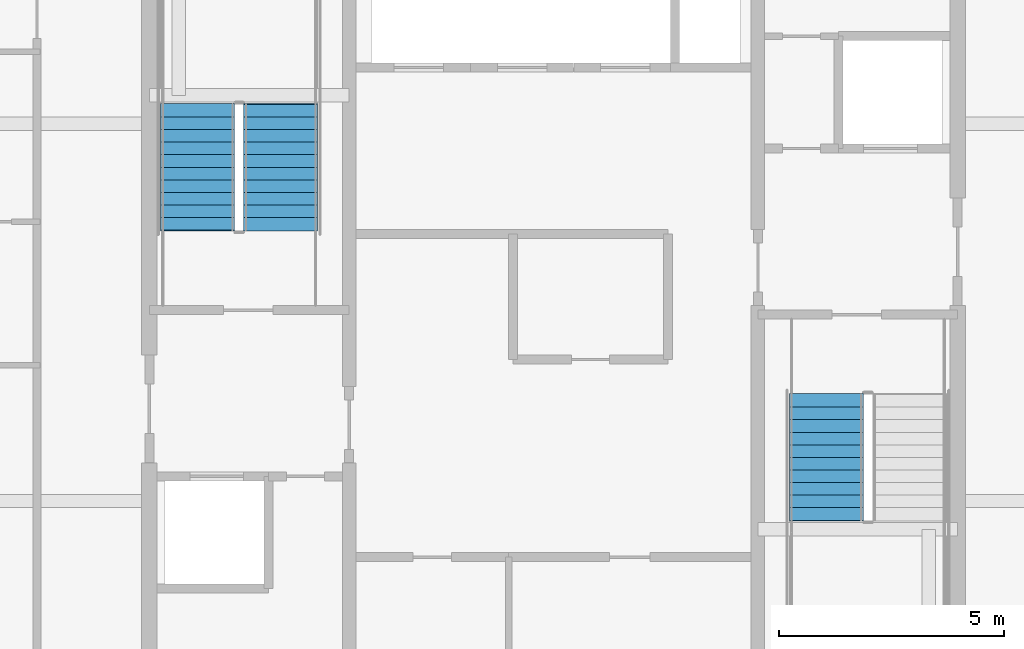
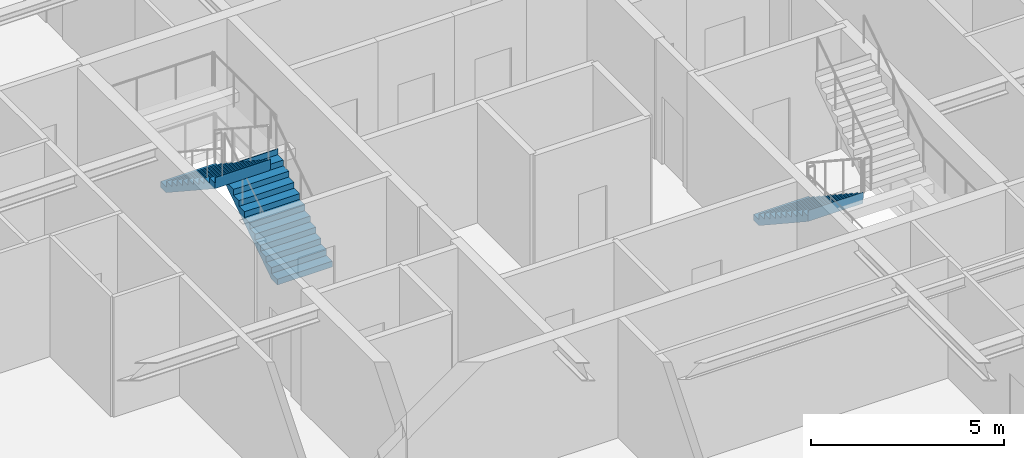
# One storey, part 35 of 41: 3 stair flights, 2 elements without a shape of their own.
"""IFC4 building model written with IfcOpenShell, lengths in metres."""

from ifc_helpers import new_model, si_unit, direction, frame, origin, place, context, subcontext, project, spatial, polygons, material, type_object, element, aggregate, save


model = new_model("IFC4")

# Units and contexts
model_context = context("Model", 3, precision=1e-05, world=origin(), true_north=direction((0.0, 1.0)))
body_context = subcontext(model_context, "Body", "Model", "MODEL_VIEW")
ifc_project = project(units=[si_unit("LENGTHUNIT", "METRE"), si_unit("AREAUNIT", "SQUARE_METRE"), si_unit("VOLUMEUNIT", "CUBIC_METRE"), si_unit("PLANEANGLEUNIT", "RADIAN"), si_unit("MASSUNIT", "GRAM", prefix="KILO")], contexts=[model_context])

# Site, building, storey
site_placement = place(None, origin())
site = spatial("IfcSite", under=ifc_project, at=site_placement, CompositionType="ELEMENT")
building_placement = place(site_placement, origin())
building = spatial("IfcBuilding", under=site, at=building_placement, Name="Serunith Strait Residences", CompositionType="ELEMENT")
storey_placement = place(building_placement, frame((0.0, 0.0, 301.550048828125)))
storey = spatial("IfcBuildingStorey", under=building, at=storey_placement, Name="L75", CompositionType="ELEMENT", Elevation=301.550048828125)

# Stair, stair flights
ifc_material = material(Name="Concrete C50/60", Category="concrete")
stair_type_1 = type_object("IfcStairType", Name="STR-CORE-1", PredefinedType="HALF_TURN_STAIR", material=ifc_material)
stair_1_placement = place(storey_placement, origin())
stair_1 = element("IfcStair", 1, at=stair_1_placement, inside=storey, type_object=stair_type_1, Name="L75 Protected Escape Stair ST-1", PredefinedType="HALF_TURN_STAIR")
stair_flight_type_1 = type_object("IfcStairFlightType", Name="FLT-CORE-1", PredefinedType="STRAIGHT", material=ifc_material)
stair_flight_1_placement = place(storey_placement, frame((26.324951171875, 27.030029296875, 0.0), z_axis=(0.0, 0.0, 1.0), x_axis=(0.0, 1.0, 0.0)))
stair_flight_1 = element("IfcStairFlight", 2, at=stair_flight_1_placement, type_object=stair_flight_type_1, Name="ST-1 flight 1", NumberOfRisers=11, NumberOfTreads=10, PredefinedType="STRAIGHT", RiserHeight=0.184090909, TreadLength=0.28, context=body_context, shape_type="Tessellation", body=[
    polygons([(-0.02001953125, -0.824951171875, 0.0), (-0.02001953125, -0.824951171875, 0.18408203125), (0.280029296875, -0.824951171875, 0.18408203125), (0.280029296875, -0.824951171875, 0.3681640625), (0.56005859375, -0.824951171875, 0.3681640625), (0.56005859375, -0.824951171875, 0.55224609375), (0.840087890625, -0.824951171875, 0.55224609375), (0.840087890625, -0.824951171875, 0.736328125), (1.1201171875, -0.824951171875, 0.736328125), (1.1201171875, -0.824951171875, 0.92041015625), (1.39990234375, -0.824951171875, 0.92041015625), (1.39990234375, -0.824951171875, 1.1044921875), (1.679931640625, -0.824951171875, 1.1044921875), (1.679931640625, -0.824951171875, 1.28857421875), (1.9599609375, -0.824951171875, 1.28857421875), (1.9599609375, -0.824951171875, 1.47265625), (2.239990234375, -0.824951171875, 1.47265625), (2.239990234375, -0.824951171875, 1.65673828125), (2.52001953125, -0.824951171875, 1.65673828125), (2.52001953125, -0.824951171875, 1.8408203125), (2.800048828125, -0.824951171875, 1.8408203125), (2.800048828125, -0.824951171875, 2.02490234375), (2.820068359375, -0.824951171875, 2.02490234375), (2.820068359375, -0.824951171875, 1.965087890625), (2.800048828125, -0.824951171875, 1.66162109375), (0.27294921875, -0.824951171875, 0.0), (-0.02001953125, -0.41259765625, 0.0), (-0.02001953125, -0.41259765625, 0.18408203125), (0.280029296875, -0.41259765625, 0.18408203125), (0.280029296875, -0.41259765625, 0.3681640625), (0.56005859375, -0.41259765625, 0.3681640625), (0.56005859375, -0.41259765625, 0.55224609375), (0.840087890625, -0.41259765625, 0.55224609375), (0.840087890625, -0.41259765625, 0.736328125), (1.1201171875, -0.41259765625, 0.736328125), (1.1201171875, -0.41259765625, 0.92041015625), (1.39990234375, -0.41259765625, 0.92041015625), (1.39990234375, -0.41259765625, 1.1044921875), (1.679931640625, -0.41259765625, 1.1044921875), (1.679931640625, -0.41259765625, 1.28857421875), (1.9599609375, -0.41259765625, 1.28857421875), (1.9599609375, -0.41259765625, 1.47265625), (2.239990234375, -0.41259765625, 1.47265625), (2.239990234375, -0.41259765625, 1.65673828125), (2.52001953125, -0.41259765625, 1.65673828125), (2.52001953125, -0.41259765625, 1.8408203125), (2.800048828125, -0.41259765625, 1.8408203125), (2.800048828125, -0.41259765625, 2.02490234375), (2.820068359375, -0.41259765625, 2.02490234375), (2.820068359375, -0.41259765625, 1.965087890625), (2.800048828125, -0.41259765625, 1.66162109375), (0.27294921875, -0.41259765625, 0.0), (-0.02001953125, 0.0, 0.0), (-0.02001953125, 0.0, 0.18408203125), (0.280029296875, 0.0, 0.18408203125), (0.280029296875, 0.0, 0.3681640625), (0.56005859375, 0.0, 0.3681640625), (0.56005859375, 0.0, 0.55224609375), (0.840087890625, 0.0, 0.55224609375), (0.840087890625, 0.0, 0.736328125), (1.1201171875, 0.0, 0.736328125), (1.1201171875, 0.0, 0.92041015625), (1.39990234375, 0.0, 0.92041015625), (1.39990234375, 0.0, 1.1044921875), (1.679931640625, 0.0, 1.1044921875), (1.679931640625, 0.0, 1.28857421875), (1.9599609375, 0.0, 1.28857421875), (1.9599609375, 0.0, 1.47265625), (2.239990234375, 0.0, 1.47265625), (2.239990234375, 0.0, 1.65673828125), (2.52001953125, 0.0, 1.65673828125), (2.52001953125, 0.0, 1.8408203125), (2.800048828125, 0.0, 1.8408203125), (2.800048828125, 0.0, 2.02490234375), (2.820068359375, 0.0, 2.02490234375), (2.820068359375, 0.0, 1.965087890625), (2.800048828125, 0.0, 1.66162109375), (0.27294921875, 0.0, 0.0), (-0.02001953125, 0.41259765625, 0.0), (-0.02001953125, 0.41259765625, 0.18408203125), (0.280029296875, 0.41259765625, 0.18408203125), (0.280029296875, 0.41259765625, 0.3681640625), (0.56005859375, 0.41259765625, 0.3681640625), (0.56005859375, 0.41259765625, 0.55224609375), (0.840087890625, 0.41259765625, 0.55224609375), (0.840087890625, 0.41259765625, 0.736328125), (1.1201171875, 0.41259765625, 0.736328125), (1.1201171875, 0.41259765625, 0.92041015625), (1.39990234375, 0.41259765625, 0.92041015625), (1.39990234375, 0.41259765625, 1.1044921875), (1.679931640625, 0.41259765625, 1.1044921875), (1.679931640625, 0.41259765625, 1.28857421875), (1.9599609375, 0.41259765625, 1.28857421875), (1.9599609375, 0.41259765625, 1.47265625), (2.239990234375, 0.41259765625, 1.47265625), (2.239990234375, 0.41259765625, 1.65673828125), (2.52001953125, 0.41259765625, 1.65673828125), (2.52001953125, 0.41259765625, 1.8408203125), (2.800048828125, 0.41259765625, 1.8408203125), (2.800048828125, 0.41259765625, 2.02490234375), (2.820068359375, 0.41259765625, 2.02490234375), (2.820068359375, 0.41259765625, 1.965087890625), (2.800048828125, 0.41259765625, 1.66162109375), (0.27294921875, 0.41259765625, 0.0), (-0.02001953125, 0.824951171875, 0.0), (-0.02001953125, 0.824951171875, 0.18408203125), (0.280029296875, 0.824951171875, 0.18408203125), (0.280029296875, 0.824951171875, 0.3681640625), (0.56005859375, 0.824951171875, 0.3681640625), (0.56005859375, 0.824951171875, 0.55224609375), (0.840087890625, 0.824951171875, 0.55224609375), (0.840087890625, 0.824951171875, 0.736328125), (1.1201171875, 0.824951171875, 0.736328125), (1.1201171875, 0.824951171875, 0.92041015625), (1.39990234375, 0.824951171875, 0.92041015625), (1.39990234375, 0.824951171875, 1.1044921875), (1.679931640625, 0.824951171875, 1.1044921875), (1.679931640625, 0.824951171875, 1.28857421875), (1.9599609375, 0.824951171875, 1.28857421875), (1.9599609375, 0.824951171875, 1.47265625), (2.239990234375, 0.824951171875, 1.47265625), (2.239990234375, 0.824951171875, 1.65673828125), (2.52001953125, 0.824951171875, 1.65673828125), (2.52001953125, 0.824951171875, 1.8408203125), (2.800048828125, 0.824951171875, 1.8408203125), (2.800048828125, 0.824951171875, 2.02490234375), (2.820068359375, 0.824951171875, 2.02490234375), (2.820068359375, 0.824951171875, 1.965087890625), (2.800048828125, 0.824951171875, 1.66162109375), (0.27294921875, 0.824951171875, 0.0)], [[[1, 2, 28, 27]], [[2, 3, 29, 28]], [[3, 4, 30, 29]], [[4, 5, 31, 30]], [[5, 6, 32, 31]], [[6, 7, 33, 32]], [[7, 8, 34, 33]], [[8, 9, 35, 34]], [[9, 10, 36, 35]], [[10, 11, 37, 36]], [[11, 12, 38, 37]], [[12, 13, 39, 38]], [[13, 14, 40, 39]], [[14, 15, 41, 40]], [[15, 16, 42, 41]], [[16, 17, 43, 42]], [[17, 18, 44, 43]], [[18, 19, 45, 44]], [[19, 20, 46, 45]], [[20, 21, 47, 46]], [[21, 22, 48, 47]], [[22, 23, 49, 48]], [[23, 24, 50, 49]], [[24, 25, 51, 50]], [[25, 26, 52, 51]], [[26, 1, 27, 52]], [[27, 28, 54, 53]], [[28, 29, 55, 54]], [[29, 30, 56, 55]], [[30, 31, 57, 56]], [[31, 32, 58, 57]], [[32, 33, 59, 58]], [[33, 34, 60, 59]], [[34, 35, 61, 60]], [[35, 36, 62, 61]], [[36, 37, 63, 62]], [[37, 38, 64, 63]], [[38, 39, 65, 64]], [[39, 40, 66, 65]], [[40, 41, 67, 66]], [[41, 42, 68, 67]], [[42, 43, 69, 68]], [[43, 44, 70, 69]], [[44, 45, 71, 70]], [[45, 46, 72, 71]], [[46, 47, 73, 72]], [[47, 48, 74, 73]], [[48, 49, 75, 74]], [[49, 50, 76, 75]], [[50, 51, 77, 76]], [[51, 52, 78, 77]], [[52, 27, 53, 78]], [[53, 54, 80, 79]], [[54, 55, 81, 80]], [[55, 56, 82, 81]], [[56, 57, 83, 82]], [[57, 58, 84, 83]], [[58, 59, 85, 84]], [[59, 60, 86, 85]], [[60, 61, 87, 86]], [[61, 62, 88, 87]], [[62, 63, 89, 88]], [[63, 64, 90, 89]], [[64, 65, 91, 90]], [[65, 66, 92, 91]], [[66, 67, 93, 92]], [[67, 68, 94, 93]], [[68, 69, 95, 94]], [[69, 70, 96, 95]], [[70, 71, 97, 96]], [[71, 72, 98, 97]], [[72, 73, 99, 98]], [[73, 74, 100, 99]], [[74, 75, 101, 100]], [[75, 76, 102, 101]], [[76, 77, 103, 102]], [[77, 78, 104, 103]], [[78, 53, 79, 104]], [[79, 80, 106, 105]], [[80, 81, 107, 106]], [[81, 82, 108, 107]], [[82, 83, 109, 108]], [[83, 84, 110, 109]], [[84, 85, 111, 110]], [[85, 86, 112, 111]], [[86, 87, 113, 112]], [[87, 88, 114, 113]], [[88, 89, 115, 114]], [[89, 90, 116, 115]], [[90, 91, 117, 116]], [[91, 92, 118, 117]], [[92, 93, 119, 118]], [[93, 94, 120, 119]], [[94, 95, 121, 120]], [[95, 96, 122, 121]], [[96, 97, 123, 122]], [[97, 98, 124, 123]], [[98, 99, 125, 124]], [[99, 100, 126, 125]], [[100, 101, 127, 126]], [[101, 102, 128, 127]], [[102, 103, 129, 128]], [[103, 104, 130, 129]], [[104, 79, 105, 130]], [[26, 25, 24, 23, 22, 21, 20, 19, 18, 17, 16, 15, 14, 13, 12, 11, 10, 9, 8, 7, 6, 5, 4, 3, 2, 1]], [[105, 106, 107, 108, 109, 110, 111, 112, 113, 114, 115, 116, 117, 118, 119, 120, 121, 122, 123, 124, 125, 126, 127, 128, 129, 130]]], closed=True),
])
stair_flight_2_placement = place(storey_placement, frame((24.47509765625, 29.830078125, 2.02490234375), z_axis=(0.0, 0.0, 1.0), x_axis=(0.0, -1.0, 0.0)))
stair_flight_2 = element("IfcStairFlight", 3, at=stair_flight_2_placement, type_object=stair_flight_type_1, Name="ST-1 flight 2", NumberOfRisers=11, NumberOfTreads=10, PredefinedType="STRAIGHT", RiserHeight=0.184090909, TreadLength=0.28, context=body_context, shape_type="Tessellation", body=[
    polygons([(-0.02001953125, -0.824951171875, 0.0), (-0.02001953125, -0.824951171875, 0.18408203125), (0.280029296875, -0.824951171875, 0.18408203125), (0.280029296875, -0.824951171875, 0.3681640625), (0.56005859375, -0.824951171875, 0.3681640625), (0.56005859375, -0.824951171875, 0.55224609375), (0.840087890625, -0.824951171875, 0.55224609375), (0.840087890625, -0.824951171875, 0.736328125), (1.1201171875, -0.824951171875, 0.736328125), (1.1201171875, -0.824951171875, 0.92041015625), (1.39990234375, -0.824951171875, 0.92041015625), (1.39990234375, -0.824951171875, 1.1044921875), (1.679931640625, -0.824951171875, 1.1044921875), (1.679931640625, -0.824951171875, 1.28857421875), (1.9599609375, -0.824951171875, 1.28857421875), (1.9599609375, -0.824951171875, 1.47265625), (2.239990234375, -0.824951171875, 1.47265625), (2.239990234375, -0.824951171875, 1.65673828125), (2.52001953125, -0.824951171875, 1.65673828125), (2.52001953125, -0.824951171875, 1.8408203125), (2.800048828125, -0.824951171875, 1.8408203125), (2.800048828125, -0.824951171875, 2.02490234375), (2.820068359375, -0.824951171875, 2.02490234375), (2.820068359375, -0.824951171875, 1.965087890625), (2.800048828125, -0.824951171875, 1.66162109375), (0.27294921875, -0.824951171875, 0.0), (-0.02001953125, -0.41259765625, 0.0), (-0.02001953125, -0.41259765625, 0.18408203125), (0.280029296875, -0.41259765625, 0.18408203125), (0.280029296875, -0.41259765625, 0.3681640625), (0.56005859375, -0.41259765625, 0.3681640625), (0.56005859375, -0.41259765625, 0.55224609375), (0.840087890625, -0.41259765625, 0.55224609375), (0.840087890625, -0.41259765625, 0.736328125), (1.1201171875, -0.41259765625, 0.736328125), (1.1201171875, -0.41259765625, 0.92041015625), (1.39990234375, -0.41259765625, 0.92041015625), (1.39990234375, -0.41259765625, 1.1044921875), (1.679931640625, -0.41259765625, 1.1044921875), (1.679931640625, -0.41259765625, 1.28857421875), (1.9599609375, -0.41259765625, 1.28857421875), (1.9599609375, -0.41259765625, 1.47265625), (2.239990234375, -0.41259765625, 1.47265625), (2.239990234375, -0.41259765625, 1.65673828125), (2.52001953125, -0.41259765625, 1.65673828125), (2.52001953125, -0.41259765625, 1.8408203125), (2.800048828125, -0.41259765625, 1.8408203125), (2.800048828125, -0.41259765625, 2.02490234375), (2.820068359375, -0.41259765625, 2.02490234375), (2.820068359375, -0.41259765625, 1.965087890625), (2.800048828125, -0.41259765625, 1.66162109375), (0.27294921875, -0.41259765625, 0.0), (-0.02001953125, 0.0, 0.0), (-0.02001953125, 0.0, 0.18408203125), (0.280029296875, 0.0, 0.18408203125), (0.280029296875, 0.0, 0.3681640625), (0.56005859375, 0.0, 0.3681640625), (0.56005859375, 0.0, 0.55224609375), (0.840087890625, 0.0, 0.55224609375), (0.840087890625, 0.0, 0.736328125), (1.1201171875, 0.0, 0.736328125), (1.1201171875, 0.0, 0.92041015625), (1.39990234375, 0.0, 0.92041015625), (1.39990234375, 0.0, 1.1044921875), (1.679931640625, 0.0, 1.1044921875), (1.679931640625, 0.0, 1.28857421875), (1.9599609375, 0.0, 1.28857421875), (1.9599609375, 0.0, 1.47265625), (2.239990234375, 0.0, 1.47265625), (2.239990234375, 0.0, 1.65673828125), (2.52001953125, 0.0, 1.65673828125), (2.52001953125, 0.0, 1.8408203125), (2.800048828125, 0.0, 1.8408203125), (2.800048828125, 0.0, 2.02490234375), (2.820068359375, 0.0, 2.02490234375), (2.820068359375, 0.0, 1.965087890625), (2.800048828125, 0.0, 1.66162109375), (0.27294921875, 0.0, 0.0), (-0.02001953125, 0.41259765625, 0.0), (-0.02001953125, 0.41259765625, 0.18408203125), (0.280029296875, 0.41259765625, 0.18408203125), (0.280029296875, 0.41259765625, 0.3681640625), (0.56005859375, 0.41259765625, 0.3681640625), (0.56005859375, 0.41259765625, 0.55224609375), (0.840087890625, 0.41259765625, 0.55224609375), (0.840087890625, 0.41259765625, 0.736328125), (1.1201171875, 0.41259765625, 0.736328125), (1.1201171875, 0.41259765625, 0.92041015625), (1.39990234375, 0.41259765625, 0.92041015625), (1.39990234375, 0.41259765625, 1.1044921875), (1.679931640625, 0.41259765625, 1.1044921875), (1.679931640625, 0.41259765625, 1.28857421875), (1.9599609375, 0.41259765625, 1.28857421875), (1.9599609375, 0.41259765625, 1.47265625), (2.239990234375, 0.41259765625, 1.47265625), (2.239990234375, 0.41259765625, 1.65673828125), (2.52001953125, 0.41259765625, 1.65673828125), (2.52001953125, 0.41259765625, 1.8408203125), (2.800048828125, 0.41259765625, 1.8408203125), (2.800048828125, 0.41259765625, 2.02490234375), (2.820068359375, 0.41259765625, 2.02490234375), (2.820068359375, 0.41259765625, 1.965087890625), (2.800048828125, 0.41259765625, 1.66162109375), (0.27294921875, 0.41259765625, 0.0), (-0.02001953125, 0.824951171875, 0.0), (-0.02001953125, 0.824951171875, 0.18408203125), (0.280029296875, 0.824951171875, 0.18408203125), (0.280029296875, 0.824951171875, 0.3681640625), (0.56005859375, 0.824951171875, 0.3681640625), (0.56005859375, 0.824951171875, 0.55224609375), (0.840087890625, 0.824951171875, 0.55224609375), (0.840087890625, 0.824951171875, 0.736328125), (1.1201171875, 0.824951171875, 0.736328125), (1.1201171875, 0.824951171875, 0.92041015625), (1.39990234375, 0.824951171875, 0.92041015625), (1.39990234375, 0.824951171875, 1.1044921875), (1.679931640625, 0.824951171875, 1.1044921875), (1.679931640625, 0.824951171875, 1.28857421875), (1.9599609375, 0.824951171875, 1.28857421875), (1.9599609375, 0.824951171875, 1.47265625), (2.239990234375, 0.824951171875, 1.47265625), (2.239990234375, 0.824951171875, 1.65673828125), (2.52001953125, 0.824951171875, 1.65673828125), (2.52001953125, 0.824951171875, 1.8408203125), (2.800048828125, 0.824951171875, 1.8408203125), (2.800048828125, 0.824951171875, 2.02490234375), (2.820068359375, 0.824951171875, 2.02490234375), (2.820068359375, 0.824951171875, 1.965087890625), (2.800048828125, 0.824951171875, 1.66162109375), (0.27294921875, 0.824951171875, 0.0)], [[[1, 2, 28, 27]], [[2, 3, 29, 28]], [[3, 4, 30, 29]], [[4, 5, 31, 30]], [[5, 6, 32, 31]], [[6, 7, 33, 32]], [[7, 8, 34, 33]], [[8, 9, 35, 34]], [[9, 10, 36, 35]], [[10, 11, 37, 36]], [[11, 12, 38, 37]], [[12, 13, 39, 38]], [[13, 14, 40, 39]], [[14, 15, 41, 40]], [[15, 16, 42, 41]], [[16, 17, 43, 42]], [[17, 18, 44, 43]], [[18, 19, 45, 44]], [[19, 20, 46, 45]], [[20, 21, 47, 46]], [[21, 22, 48, 47]], [[22, 23, 49, 48]], [[23, 24, 50, 49]], [[24, 25, 51, 50]], [[25, 26, 52, 51]], [[26, 1, 27, 52]], [[27, 28, 54, 53]], [[28, 29, 55, 54]], [[29, 30, 56, 55]], [[30, 31, 57, 56]], [[31, 32, 58, 57]], [[32, 33, 59, 58]], [[33, 34, 60, 59]], [[34, 35, 61, 60]], [[35, 36, 62, 61]], [[36, 37, 63, 62]], [[37, 38, 64, 63]], [[38, 39, 65, 64]], [[39, 40, 66, 65]], [[40, 41, 67, 66]], [[41, 42, 68, 67]], [[42, 43, 69, 68]], [[43, 44, 70, 69]], [[44, 45, 71, 70]], [[45, 46, 72, 71]], [[46, 47, 73, 72]], [[47, 48, 74, 73]], [[48, 49, 75, 74]], [[49, 50, 76, 75]], [[50, 51, 77, 76]], [[51, 52, 78, 77]], [[52, 27, 53, 78]], [[53, 54, 80, 79]], [[54, 55, 81, 80]], [[55, 56, 82, 81]], [[56, 57, 83, 82]], [[57, 58, 84, 83]], [[58, 59, 85, 84]], [[59, 60, 86, 85]], [[60, 61, 87, 86]], [[61, 62, 88, 87]], [[62, 63, 89, 88]], [[63, 64, 90, 89]], [[64, 65, 91, 90]], [[65, 66, 92, 91]], [[66, 67, 93, 92]], [[67, 68, 94, 93]], [[68, 69, 95, 94]], [[69, 70, 96, 95]], [[70, 71, 97, 96]], [[71, 72, 98, 97]], [[72, 73, 99, 98]], [[73, 74, 100, 99]], [[74, 75, 101, 100]], [[75, 76, 102, 101]], [[76, 77, 103, 102]], [[77, 78, 104, 103]], [[78, 53, 79, 104]], [[79, 80, 106, 105]], [[80, 81, 107, 106]], [[81, 82, 108, 107]], [[82, 83, 109, 108]], [[83, 84, 110, 109]], [[84, 85, 111, 110]], [[85, 86, 112, 111]], [[86, 87, 113, 112]], [[87, 88, 114, 113]], [[88, 89, 115, 114]], [[89, 90, 116, 115]], [[90, 91, 117, 116]], [[91, 92, 118, 117]], [[92, 93, 119, 118]], [[93, 94, 120, 119]], [[94, 95, 121, 120]], [[95, 96, 122, 121]], [[96, 97, 123, 122]], [[97, 98, 124, 123]], [[98, 99, 125, 124]], [[99, 100, 126, 125]], [[100, 101, 127, 126]], [[101, 102, 128, 127]], [[102, 103, 129, 128]], [[103, 104, 130, 129]], [[104, 79, 105, 130]], [[26, 25, 24, 23, 22, 21, 20, 19, 18, 17, 16, 15, 14, 13, 12, 11, 10, 9, 8, 7, 6, 5, 4, 3, 2, 1]], [[105, 106, 107, 108, 109, 110, 111, 112, 113, 114, 115, 116, 117, 118, 119, 120, 121, 122, 123, 124, 125, 126, 127, 128, 129, 130]]], closed=True),
])
aggregate(stair_1, [stair_flight_1, stair_flight_2])

# Stair, stair flight
stair_type_2 = type_object("IfcStairType", Name="STR-CORE-2", PredefinedType="HALF_TURN_STAIR", material=ifc_material)
stair_2_placement = place(storey_placement, origin())
stair_2 = element("IfcStair", 4, at=stair_2_placement, inside=storey, type_object=stair_type_2, Name="L75 Protected Escape Stair ST-2", PredefinedType="HALF_TURN_STAIR")
stair_flight_type_2 = type_object("IfcStairFlightType", Name="FLT-CORE-2", PredefinedType="STRAIGHT", material=ifc_material)
stair_flight_3_placement = place(storey_placement, frame((38.47509765625, 23.3701171875, 0.0), z_axis=(0.0, 0.0, 1.0), x_axis=(0.0, -1.0, 0.0)))
stair_flight_3 = element("IfcStairFlight", 5, at=stair_flight_3_placement, type_object=stair_flight_type_2, Name="ST-2 flight 1", NumberOfRisers=11, NumberOfTreads=10, PredefinedType="STRAIGHT", RiserHeight=0.184090909, TreadLength=0.28, context=body_context, shape_type="Tessellation", body=[
    polygons([(-0.02001953125, -0.824951171875, 0.0), (-0.02001953125, -0.824951171875, 0.18408203125), (0.280029296875, -0.824951171875, 0.18408203125), (0.280029296875, -0.824951171875, 0.3681640625), (0.56005859375, -0.824951171875, 0.3681640625), (0.56005859375, -0.824951171875, 0.55224609375), (0.840087890625, -0.824951171875, 0.55224609375), (0.840087890625, -0.824951171875, 0.736328125), (1.1201171875, -0.824951171875, 0.736328125), (1.1201171875, -0.824951171875, 0.92041015625), (1.39990234375, -0.824951171875, 0.92041015625), (1.39990234375, -0.824951171875, 1.1044921875), (1.679931640625, -0.824951171875, 1.1044921875), (1.679931640625, -0.824951171875, 1.28857421875), (1.9599609375, -0.824951171875, 1.28857421875), (1.9599609375, -0.824951171875, 1.47265625), (2.239990234375, -0.824951171875, 1.47265625), (2.239990234375, -0.824951171875, 1.65673828125), (2.52001953125, -0.824951171875, 1.65673828125), (2.52001953125, -0.824951171875, 1.8408203125), (2.800048828125, -0.824951171875, 1.8408203125), (2.800048828125, -0.824951171875, 2.02490234375), (2.820068359375, -0.824951171875, 2.02490234375), (2.820068359375, -0.824951171875, 1.965087890625), (2.800048828125, -0.824951171875, 1.66162109375), (0.27294921875, -0.824951171875, 0.0), (-0.02001953125, -0.41259765625, 0.0), (-0.02001953125, -0.41259765625, 0.18408203125), (0.280029296875, -0.41259765625, 0.18408203125), (0.280029296875, -0.41259765625, 0.3681640625), (0.56005859375, -0.41259765625, 0.3681640625), (0.56005859375, -0.41259765625, 0.55224609375), (0.840087890625, -0.41259765625, 0.55224609375), (0.840087890625, -0.41259765625, 0.736328125), (1.1201171875, -0.41259765625, 0.736328125), (1.1201171875, -0.41259765625, 0.92041015625), (1.39990234375, -0.41259765625, 0.92041015625), (1.39990234375, -0.41259765625, 1.1044921875), (1.679931640625, -0.41259765625, 1.1044921875), (1.679931640625, -0.41259765625, 1.28857421875), (1.9599609375, -0.41259765625, 1.28857421875), (1.9599609375, -0.41259765625, 1.47265625), (2.239990234375, -0.41259765625, 1.47265625), (2.239990234375, -0.41259765625, 1.65673828125), (2.52001953125, -0.41259765625, 1.65673828125), (2.52001953125, -0.41259765625, 1.8408203125), (2.800048828125, -0.41259765625, 1.8408203125), (2.800048828125, -0.41259765625, 2.02490234375), (2.820068359375, -0.41259765625, 2.02490234375), (2.820068359375, -0.41259765625, 1.965087890625), (2.800048828125, -0.41259765625, 1.66162109375), (0.27294921875, -0.41259765625, 0.0), (-0.02001953125, 0.0, 0.0), (-0.02001953125, 0.0, 0.18408203125), (0.280029296875, 0.0, 0.18408203125), (0.280029296875, 0.0, 0.3681640625), (0.56005859375, 0.0, 0.3681640625), (0.56005859375, 0.0, 0.55224609375), (0.840087890625, 0.0, 0.55224609375), (0.840087890625, 0.0, 0.736328125), (1.1201171875, 0.0, 0.736328125), (1.1201171875, 0.0, 0.92041015625), (1.39990234375, 0.0, 0.92041015625), (1.39990234375, 0.0, 1.1044921875), (1.679931640625, 0.0, 1.1044921875), (1.679931640625, 0.0, 1.28857421875), (1.9599609375, 0.0, 1.28857421875), (1.9599609375, 0.0, 1.47265625), (2.239990234375, 0.0, 1.47265625), (2.239990234375, 0.0, 1.65673828125), (2.52001953125, 0.0, 1.65673828125), (2.52001953125, 0.0, 1.8408203125), (2.800048828125, 0.0, 1.8408203125), (2.800048828125, 0.0, 2.02490234375), (2.820068359375, 0.0, 2.02490234375), (2.820068359375, 0.0, 1.965087890625), (2.800048828125, 0.0, 1.66162109375), (0.27294921875, 0.0, 0.0), (-0.02001953125, 0.41259765625, 0.0), (-0.02001953125, 0.41259765625, 0.18408203125), (0.280029296875, 0.41259765625, 0.18408203125), (0.280029296875, 0.41259765625, 0.3681640625), (0.56005859375, 0.41259765625, 0.3681640625), (0.56005859375, 0.41259765625, 0.55224609375), (0.840087890625, 0.41259765625, 0.55224609375), (0.840087890625, 0.41259765625, 0.736328125), (1.1201171875, 0.41259765625, 0.736328125), (1.1201171875, 0.41259765625, 0.92041015625), (1.39990234375, 0.41259765625, 0.92041015625), (1.39990234375, 0.41259765625, 1.1044921875), (1.679931640625, 0.41259765625, 1.1044921875), (1.679931640625, 0.41259765625, 1.28857421875), (1.9599609375, 0.41259765625, 1.28857421875), (1.9599609375, 0.41259765625, 1.47265625), (2.239990234375, 0.41259765625, 1.47265625), (2.239990234375, 0.41259765625, 1.65673828125), (2.52001953125, 0.41259765625, 1.65673828125), (2.52001953125, 0.41259765625, 1.8408203125), (2.800048828125, 0.41259765625, 1.8408203125), (2.800048828125, 0.41259765625, 2.02490234375), (2.820068359375, 0.41259765625, 2.02490234375), (2.820068359375, 0.41259765625, 1.965087890625), (2.800048828125, 0.41259765625, 1.66162109375), (0.27294921875, 0.41259765625, 0.0), (-0.02001953125, 0.824951171875, 0.0), (-0.02001953125, 0.824951171875, 0.18408203125), (0.280029296875, 0.824951171875, 0.18408203125), (0.280029296875, 0.824951171875, 0.3681640625), (0.56005859375, 0.824951171875, 0.3681640625), (0.56005859375, 0.824951171875, 0.55224609375), (0.840087890625, 0.824951171875, 0.55224609375), (0.840087890625, 0.824951171875, 0.736328125), (1.1201171875, 0.824951171875, 0.736328125), (1.1201171875, 0.824951171875, 0.92041015625), (1.39990234375, 0.824951171875, 0.92041015625), (1.39990234375, 0.824951171875, 1.1044921875), (1.679931640625, 0.824951171875, 1.1044921875), (1.679931640625, 0.824951171875, 1.28857421875), (1.9599609375, 0.824951171875, 1.28857421875), (1.9599609375, 0.824951171875, 1.47265625), (2.239990234375, 0.824951171875, 1.47265625), (2.239990234375, 0.824951171875, 1.65673828125), (2.52001953125, 0.824951171875, 1.65673828125), (2.52001953125, 0.824951171875, 1.8408203125), (2.800048828125, 0.824951171875, 1.8408203125), (2.800048828125, 0.824951171875, 2.02490234375), (2.820068359375, 0.824951171875, 2.02490234375), (2.820068359375, 0.824951171875, 1.965087890625), (2.800048828125, 0.824951171875, 1.66162109375), (0.27294921875, 0.824951171875, 0.0)], [[[1, 2, 28, 27]], [[2, 3, 29, 28]], [[3, 4, 30, 29]], [[4, 5, 31, 30]], [[5, 6, 32, 31]], [[6, 7, 33, 32]], [[7, 8, 34, 33]], [[8, 9, 35, 34]], [[9, 10, 36, 35]], [[10, 11, 37, 36]], [[11, 12, 38, 37]], [[12, 13, 39, 38]], [[13, 14, 40, 39]], [[14, 15, 41, 40]], [[15, 16, 42, 41]], [[16, 17, 43, 42]], [[17, 18, 44, 43]], [[18, 19, 45, 44]], [[19, 20, 46, 45]], [[20, 21, 47, 46]], [[21, 22, 48, 47]], [[22, 23, 49, 48]], [[23, 24, 50, 49]], [[24, 25, 51, 50]], [[25, 26, 52, 51]], [[26, 1, 27, 52]], [[27, 28, 54, 53]], [[28, 29, 55, 54]], [[29, 30, 56, 55]], [[30, 31, 57, 56]], [[31, 32, 58, 57]], [[32, 33, 59, 58]], [[33, 34, 60, 59]], [[34, 35, 61, 60]], [[35, 36, 62, 61]], [[36, 37, 63, 62]], [[37, 38, 64, 63]], [[38, 39, 65, 64]], [[39, 40, 66, 65]], [[40, 41, 67, 66]], [[41, 42, 68, 67]], [[42, 43, 69, 68]], [[43, 44, 70, 69]], [[44, 45, 71, 70]], [[45, 46, 72, 71]], [[46, 47, 73, 72]], [[47, 48, 74, 73]], [[48, 49, 75, 74]], [[49, 50, 76, 75]], [[50, 51, 77, 76]], [[51, 52, 78, 77]], [[52, 27, 53, 78]], [[53, 54, 80, 79]], [[54, 55, 81, 80]], [[55, 56, 82, 81]], [[56, 57, 83, 82]], [[57, 58, 84, 83]], [[58, 59, 85, 84]], [[59, 60, 86, 85]], [[60, 61, 87, 86]], [[61, 62, 88, 87]], [[62, 63, 89, 88]], [[63, 64, 90, 89]], [[64, 65, 91, 90]], [[65, 66, 92, 91]], [[66, 67, 93, 92]], [[67, 68, 94, 93]], [[68, 69, 95, 94]], [[69, 70, 96, 95]], [[70, 71, 97, 96]], [[71, 72, 98, 97]], [[72, 73, 99, 98]], [[73, 74, 100, 99]], [[74, 75, 101, 100]], [[75, 76, 102, 101]], [[76, 77, 103, 102]], [[77, 78, 104, 103]], [[78, 53, 79, 104]], [[79, 80, 106, 105]], [[80, 81, 107, 106]], [[81, 82, 108, 107]], [[82, 83, 109, 108]], [[83, 84, 110, 109]], [[84, 85, 111, 110]], [[85, 86, 112, 111]], [[86, 87, 113, 112]], [[87, 88, 114, 113]], [[88, 89, 115, 114]], [[89, 90, 116, 115]], [[90, 91, 117, 116]], [[91, 92, 118, 117]], [[92, 93, 119, 118]], [[93, 94, 120, 119]], [[94, 95, 121, 120]], [[95, 96, 122, 121]], [[96, 97, 123, 122]], [[97, 98, 124, 123]], [[98, 99, 125, 124]], [[99, 100, 126, 125]], [[100, 101, 127, 126]], [[101, 102, 128, 127]], [[102, 103, 129, 128]], [[103, 104, 130, 129]], [[104, 79, 105, 130]], [[26, 25, 24, 23, 22, 21, 20, 19, 18, 17, 16, 15, 14, 13, 12, 11, 10, 9, 8, 7, 6, 5, 4, 3, 2, 1]], [[105, 106, 107, 108, 109, 110, 111, 112, 113, 114, 115, 116, 117, 118, 119, 120, 121, 122, 123, 124, 125, 126, 127, 128, 129, 130]]], closed=True),
])
aggregate(stair_2, [stair_flight_3])

save(model, "model.ifc")
